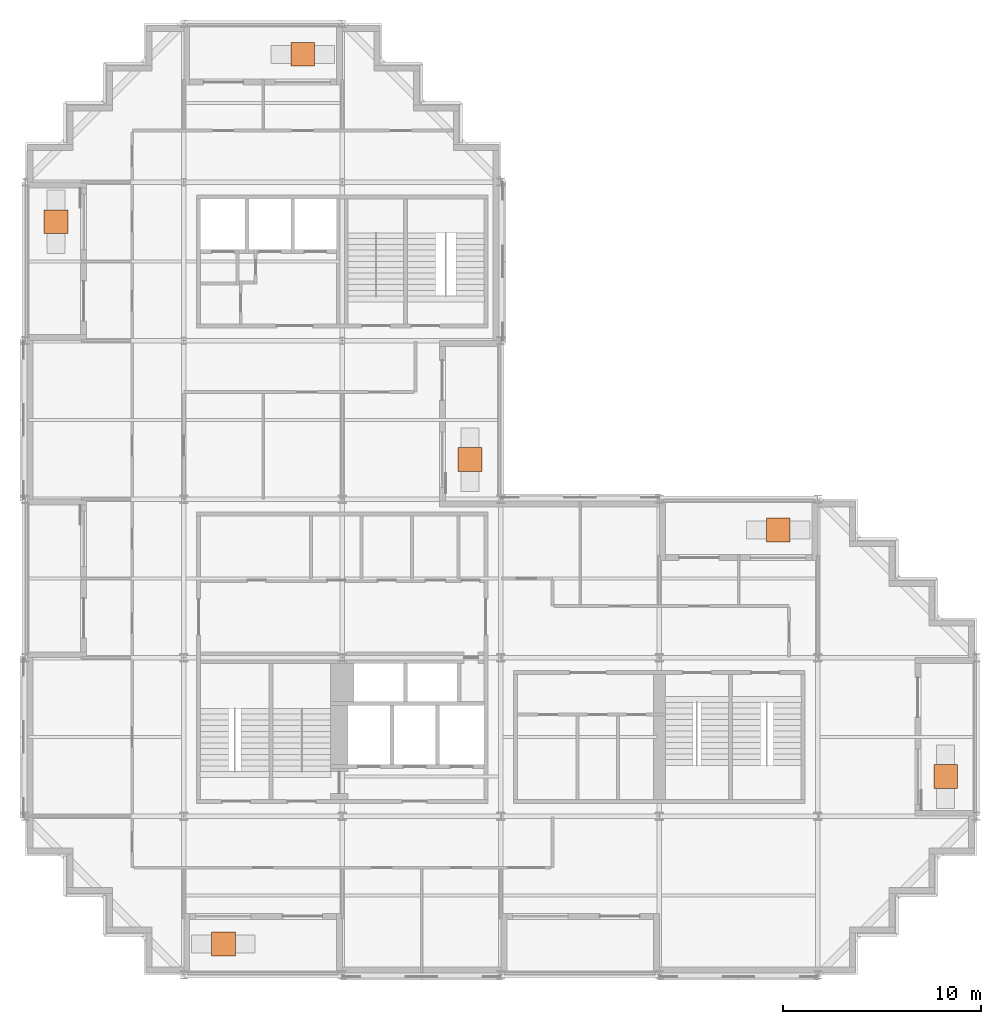
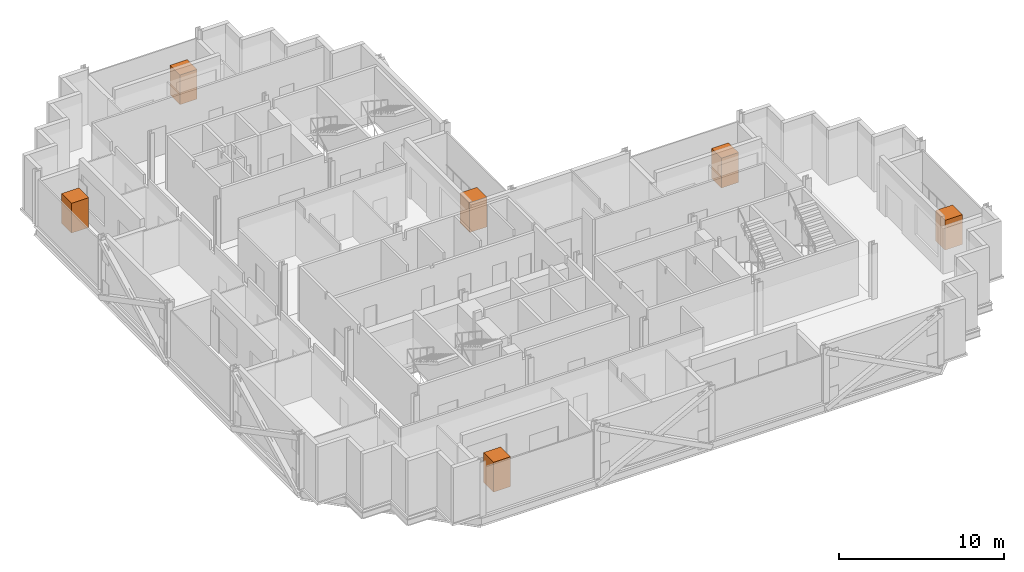
# One storey, part 13 of 13: 6 geographic elements.
"""IFC4 building model written with IfcOpenShell, lengths in metres."""

from ifc_helpers import new_model, si_unit, direction, frame, origin, origin_2d, place, context, subcontext, project, spatial, rectangle, extrude, material, type_object, element, save


model = new_model("IFC4")

# Units and contexts
model_context = context("Model", 3, precision=1e-05, world=origin(), true_north=direction((0.0, 1.0)))
body_context = subcontext(model_context, "Body", "Model", "MODEL_VIEW")
ifc_project = project(units=[si_unit("LENGTHUNIT", "METRE"), si_unit("AREAUNIT", "SQUARE_METRE"), si_unit("VOLUMEUNIT", "CUBIC_METRE"), si_unit("PLANEANGLEUNIT", "RADIAN"), si_unit("MASSUNIT", "GRAM", prefix="KILO")], contexts=[model_context])

# Site, building, storey
site_placement = place(None, origin())
site = spatial("IfcSite", under=ifc_project, at=site_placement, CompositionType="ELEMENT")
building_placement = place(site_placement, origin())
building = spatial("IfcBuilding", under=site, at=building_placement, Name="Immortelle Media Tower", CompositionType="ELEMENT")
storey_placement = place(building_placement, frame((0.0, 0.0, 174.60009765625)))
storey = spatial("IfcBuildingStorey", under=building, at=storey_placement, Name="L36", CompositionType="ELEMENT", Elevation=174.60009765625)

# Geographic elements
ifc_material = material(Name="Tree canopy foliage")
geographic_element_type = type_object("IfcGeographicElementType", Name="Tree", PredefinedType="USERDEFINED", material=ifc_material)
for number, where, z_axis, x_axis, name in (
    (1, (10.0, 1.550048828125, 0.60009765625), (0.0, 0.0, 1.0), (1.0, 0.0, 0.0), "Tree L36 S0"),
    (2, (46.449951171875, 10.0, 0.60009765625), (0.0, 0.0, 1.0), (1.0, 0.0, 0.0), "Tree L36 E0"),
    (3, (38.0, 22.449951171875, 0.60009765625), (0.0, 0.0, 1.0), (1.0, 0.0, 0.0), "Tree L36 N0"),
    (4, (22.449951171875, 26.0, 0.60009765625), (0.0, 0.0, 1.0), (1.0, 0.0, 0.0), "Tree L36 E0"),
    (5, (14.0, 46.449951171875, 0.60009765625), (0.0, 0.0, 1.0), (1.0, 0.0, 0.0), "Tree L36 N0"),
    (6, (1.550048828125, 38.0, 0.60009765625), (0.0, 0.0, 1.0), (1.0, 0.0, 0.0), "Tree L36 W0"),
):
    element("IfcGeographicElement", number, at=place(storey_placement, frame(where, z_axis=z_axis, x_axis=x_axis)), inside=storey, type_object=geographic_element_type, Name=name, ObjectType="Tree", PredefinedType="USERDEFINED", context=body_context, shape_type="SweptSolid", body=[
        extrude(rectangle(XDim=1.199951171875, YDim=1.199951171875, at=origin_2d()), origin(), (0.0, 0.0, 1.0), 2.199951171875),
    ])

save(model, "model.ifc")
